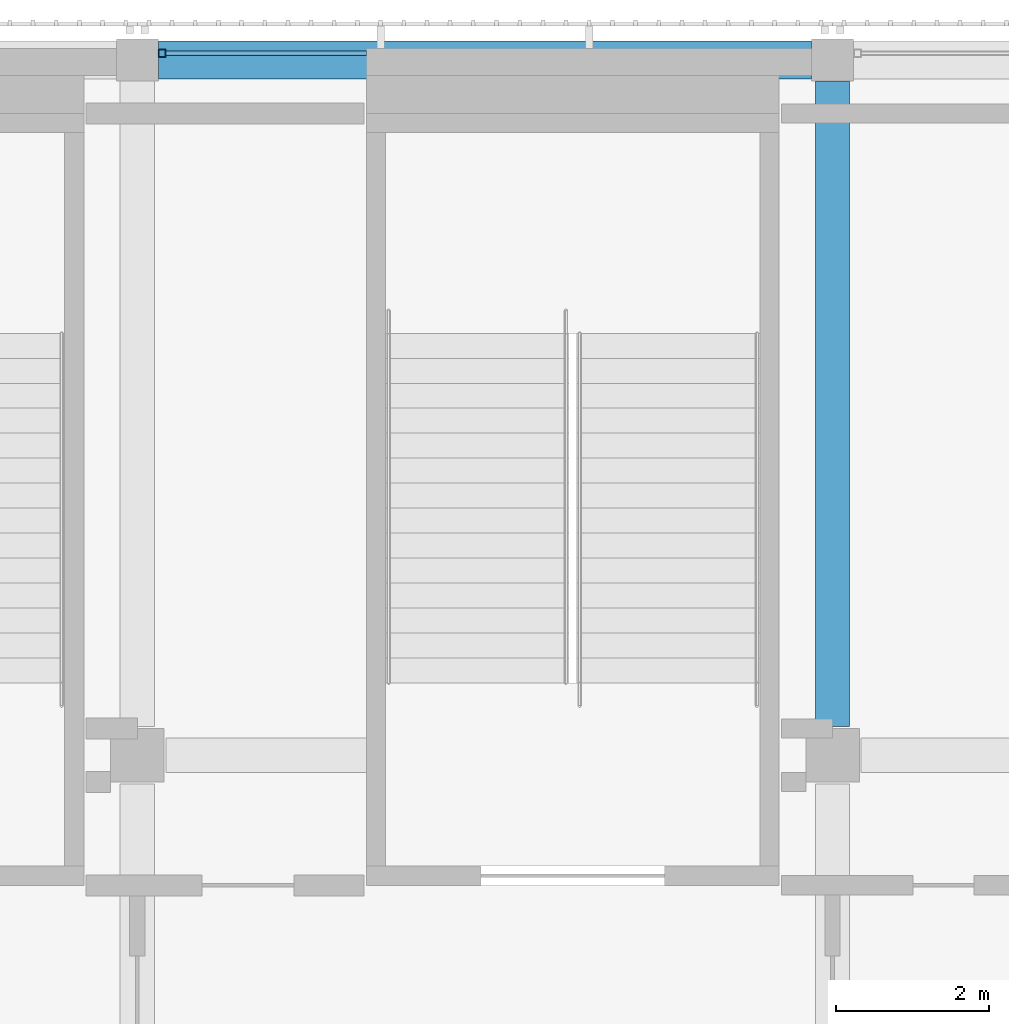
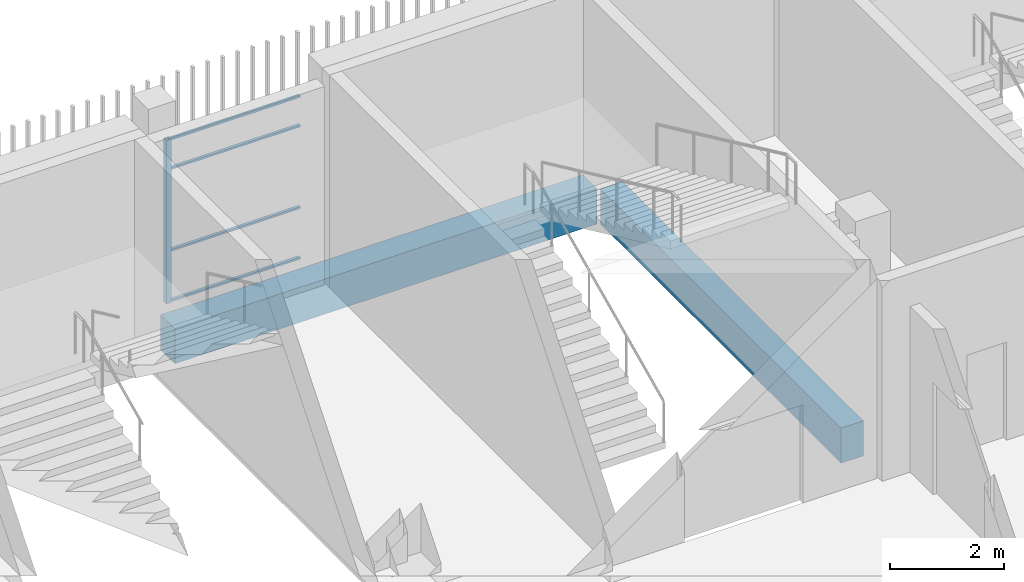
# One storey, part 45 of 126: 5 members, 2 beams, 1 element without a shape of its own.
"""IFC4 building model written with IfcOpenShell, lengths in metres."""

from ifc_helpers import new_model, si_unit, direction, frame, origin, origin_2d, place, context, subcontext, project, spatial, rectangle, hollow_rectangle, extrude, material, layer, layer_set, material_profile, profile_set, type_object, element, aggregate, save


model = new_model("IFC4")

# Units and contexts
model_context = context("Model", 3, precision=1e-05, world=origin(), true_north=direction((0.0, 1.0)))
body_context = subcontext(model_context, "Body", "Model", "MODEL_VIEW")
ifc_project = project(units=[si_unit("LENGTHUNIT", "METRE"), si_unit("AREAUNIT", "SQUARE_METRE"), si_unit("VOLUMEUNIT", "CUBIC_METRE"), si_unit("PLANEANGLEUNIT", "RADIAN"), si_unit("MASSUNIT", "GRAM", prefix="KILO")], contexts=[model_context])

# Site, building, storey
site_placement = place(None, origin())
site = spatial("IfcSite", under=ifc_project, at=site_placement, CompositionType="ELEMENT")
building_placement = place(site_placement, origin())
building = spatial("IfcBuilding", under=site, at=building_placement, Name="Shirokan Park Arena", CompositionType="ELEMENT")
storey_placement = place(building_placement, frame((0.0, 0.0, 6.3701171875)))
storey = spatial("IfcBuildingStorey", under=building, at=storey_placement, Name="L01", CompositionType="ELEMENT", Elevation=6.3701171875)

# Curtain wall, member
ifc_material_1 = material(Name="Steel and glass curtain wall", Category="steel")
ifc_layer = layer(ifc_material_1, 0.1201171875)
ifc_layer_set = layer_set([ifc_layer], Name="Steel and glass curtain wall 120 mm")
curtain_wall_type = type_object("IfcCurtainWallType", Name="Curtain wall corner block side bay 120", PredefinedType="NOTDEFINED", material=ifc_layer_set)
curtain_wall_placement = place(storey_placement, origin())
curtain_wall = element("IfcCurtainWall", 1, at=curtain_wall_placement, inside=storey, type_object=curtain_wall_type, Name="Curtain wall north bay 3 L01", PredefinedType="NOTDEFINED")
ifc_material_2 = material(Name="Steel S355", Category="steel")
ifc_material_profile_1 = material_profile(ifc_material_2, hollow_rectangle(XDim=0.10009765625, YDim=0.10009765625, WallThickness=0.006103515625, at=origin_2d()), Name="RHS 100x100x6")
ifc_profile_set_1 = profile_set([ifc_material_profile_1], Name="Steel S355")
member_type_1 = type_object("IfcMemberType", Name="Mullion RHS 100x100x6", PredefinedType="MULLION", material=ifc_profile_set_1)
member_1_placement = place(storey_placement, frame((118.625, 109.2900390625, 0.0), z_axis=(0.0, 0.0, 1.0), x_axis=(0.0, -1.0, 0.0)))
member_1 = element("IfcMember", 2, at=member_1_placement, type_object=member_type_1, Name="CW3 mullion 2", PredefinedType="MULLION", context=body_context, shape_type="SweptSolid", body=[
    extrude(hollow_rectangle(XDim=0.10009765625, YDim=0.10009765625, WallThickness=0.006103515625, at=origin_2d()), origin(), (0.0, 0.0, 1.0), 3.5),
])

# Beams
ifc_material_3 = material(Name="Concrete C35", Category="concrete")
ifc_material_profile_2 = material_profile(ifc_material_3, rectangle(XDim=0.449951171875, YDim=0.75, at=origin_2d()), Name="450x750")
ifc_profile_set_2 = profile_set([ifc_material_profile_2], Name="Concrete C35")
beam_type_1 = type_object("IfcBeamType", Name="RC girder 450x750", PredefinedType="BEAM", material=ifc_profile_set_2)
beam_1_placement = place(storey_placement, frame((127.39990234375, 100.47509765625, -0.72509765625), z_axis=(0.0, 1.0, 0.0), x_axis=(-1.0, 0.0, 0.0)))
element("IfcBeam", 3, at=beam_1_placement, inside=storey, type_object=beam_type_1, Name="Girder 15M-15N L01", PredefinedType="BEAM", context=body_context, shape_type="SweptSolid", body=[
    extrude(rectangle(XDim=0.449951171875, YDim=0.75, at=origin_2d()), origin(), (0.0, 0.0, 1.0), 8.44970703125),
])
ifc_material_profile_3 = material_profile(ifc_material_3, rectangle(XDim=0.5, YDim=0.75, at=origin_2d()), Name="500x750")
ifc_profile_set_3 = profile_set([ifc_material_profile_3], Name="Concrete C35")
beam_type_2 = type_object("IfcBeamType", Name="RC girder 500x750", PredefinedType="BEAM", material=ifc_profile_set_3)
beam_2_placement = place(storey_placement, frame((118.5751953125, 109.199951171875, -0.72509765625), z_axis=(1.0, 0.0, 0.0), x_axis=(0.0, 1.0, 0.0)))
element("IfcBeam", 4, at=beam_2_placement, inside=storey, type_object=beam_type_2, Name="Girder 14N-15N L01", PredefinedType="BEAM", context=body_context, shape_type="SweptSolid", body=[
    extrude(rectangle(XDim=0.5, YDim=0.75, at=origin_2d()), origin(), (0.0, 0.0, 1.0), 8.5498046875),
])

# Member
ifc_material_profile_4 = material_profile(ifc_material_2, hollow_rectangle(XDim=0.06005859375, YDim=0.0400390625, WallThickness=0.00390625, at=origin_2d()), Name="RHS 60x40x4")
ifc_profile_set_4 = profile_set([ifc_material_profile_4], Name="Steel S355")
member_type_2 = type_object("IfcMemberType", Name="Transom RHS 60x40x4", PredefinedType="MULLION", material=ifc_profile_set_4)
member_2_placement = place(storey_placement, frame((121.300048828125, 109.2900390625, 0.019775390625), z_axis=(-1.0, 0.0, 0.0), x_axis=(0.0, -1.0, 0.0)))
member_2 = element("IfcMember", 5, at=member_2_placement, type_object=member_type_2, Name="CW3 transom 1.1", PredefinedType="MULLION", context=body_context, shape_type="SweptSolid", body=[
    extrude(hollow_rectangle(XDim=0.06005859375, YDim=0.0400390625, WallThickness=0.00390625, at=origin_2d()), origin(), (0.0, 0.0, 1.0), 2.625),
])

member_3_placement = place(storey_placement, frame((121.300048828125, 109.2900390625, 1.099853515625), z_axis=(-1.0, 0.0, 0.0), x_axis=(0.0, -1.0, 0.0)))
member_3 = element("IfcMember", 6, at=member_3_placement, type_object=member_type_2, Name="CW3 transom 1.2", PredefinedType="MULLION", context=body_context, shape_type="SweptSolid", body=[
    extrude(hollow_rectangle(XDim=0.06005859375, YDim=0.0400390625, WallThickness=0.00390625, at=origin_2d()), origin(), (0.0, 0.0, 1.0), 2.625),
])

member_4_placement = place(storey_placement, frame((121.300048828125, 109.2900390625, 2.849853515625), z_axis=(-1.0, 0.0, 0.0), x_axis=(0.0, -1.0, 0.0)))
member_4 = element("IfcMember", 7, at=member_4_placement, type_object=member_type_2, Name="CW3 transom 1.3", PredefinedType="MULLION", context=body_context, shape_type="SweptSolid", body=[
    extrude(hollow_rectangle(XDim=0.06005859375, YDim=0.0400390625, WallThickness=0.00390625, at=origin_2d()), origin(), (0.0, 0.0, 1.0), 2.625),
])

member_5_placement = place(storey_placement, frame((121.300048828125, 109.2900390625, 3.47998046875), z_axis=(-1.0, 0.0, 0.0), x_axis=(0.0, -1.0, 0.0)))
member_5 = element("IfcMember", 8, at=member_5_placement, type_object=member_type_2, Name="CW3 transom 1.4", PredefinedType="MULLION", context=body_context, shape_type="SweptSolid", body=[
    extrude(hollow_rectangle(XDim=0.06005859375, YDim=0.0400390625, WallThickness=0.00390625, at=origin_2d()), origin(), (0.0, 0.0, 1.0), 2.625),
])

aggregate(curtain_wall, [member_1, member_2, member_3, member_4, member_5])

save(model, "model.ifc")
